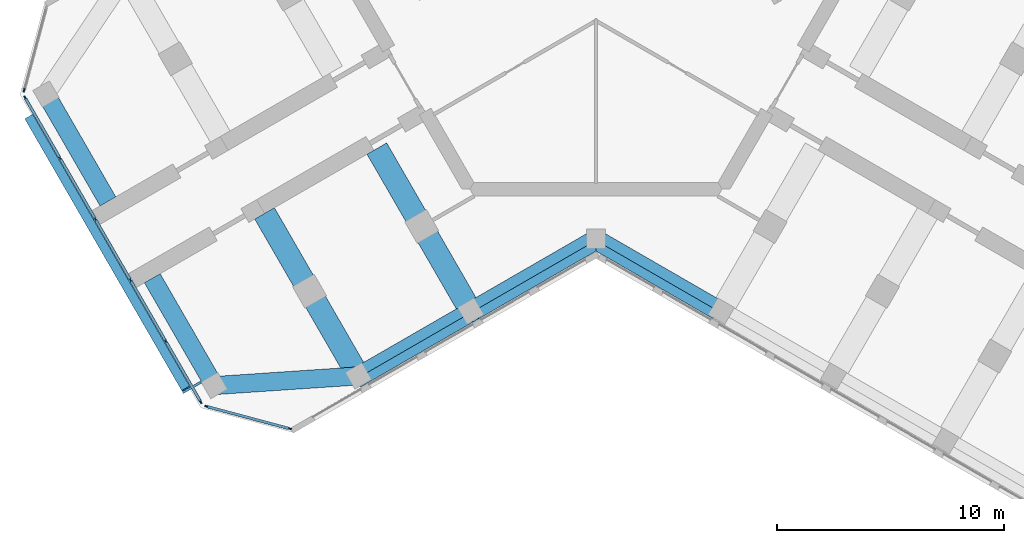
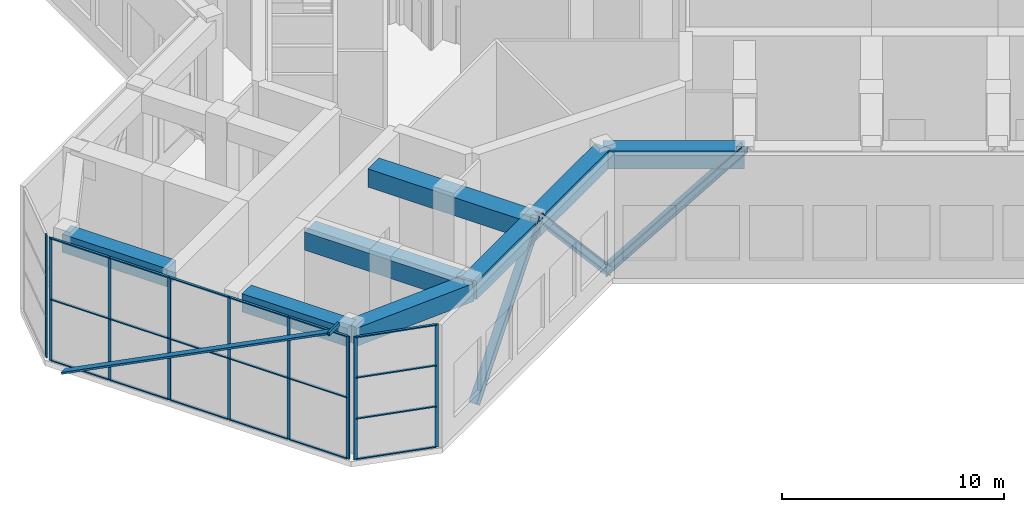
# One storey, part 2 of 12: 33 members, 8 beams, 3 elements without a shape of their own.
"""IFC4 building model written with IfcOpenShell, lengths in metres."""

from ifc_helpers import new_model, si_unit, direction, frame, origin, origin_2d, place, context, subcontext, project, spatial, rectangle, hollow_rectangle, i_section, extrude, material, material_profile, profile_set, type_object, element, aggregate, save


model = new_model("IFC4")

# Units and contexts
model_context = context("Model", 3, precision=1e-05, world=origin(), true_north=direction((0.0, 1.0)))
body_context = subcontext(model_context, "Body", "Model", "MODEL_VIEW")
ifc_project = project(units=[si_unit("LENGTHUNIT", "METRE"), si_unit("AREAUNIT", "SQUARE_METRE"), si_unit("VOLUMEUNIT", "CUBIC_METRE"), si_unit("PLANEANGLEUNIT", "RADIAN"), si_unit("MASSUNIT", "GRAM", prefix="KILO")], contexts=[model_context])

# Site, building, storey
site_placement = place(None, origin())
site = spatial("IfcSite", under=ifc_project, at=site_placement, CompositionType="ELEMENT")
building_placement = place(site_placement, origin())
building = spatial("IfcBuilding", under=site, at=building_placement, Name="Kosmar Iwan School Tower", CompositionType="ELEMENT")
storey_placement = place(building_placement, frame((0.0, 0.0, 260.39990234375)))
storey = spatial("IfcBuildingStorey", under=building, at=storey_placement, Name="L66", CompositionType="ELEMENT", Elevation=260.39990234375)

# Members
ifc_material_1 = material(Name="Steel S355", Category="steel")
ifc_material_profile_1 = material_profile(ifc_material_1, i_section(OverallWidth=0.404052734375, OverallDepth=0.406982421875, WebThickness=0.027099609375, FlangeThickness=0.043701171875, FilletRadius=0.014892578125, at=origin_2d()), Name="HD 400x347")
ifc_profile_set_1 = profile_set([ifc_material_profile_1], Name="Steel S355")
member_type_1 = type_object("IfcMemberType", Name="Belt truss diagonal HD 400x347", PredefinedType="BRACE", material=ifc_profile_set_1)
member_1_placement = place(storey_placement, frame((0.134033203125, -12.010009765625, 0.0), z_axis=(-0.589452136228, -0.340337813809, 0.732609276209), x_axis=(0.500019243575, -0.866014293216, 0.0)))
element("IfcMember", 1, at=member_1_placement, inside=storey, type_object=member_type_1, Name="Belt truss diagonal BL1", PredefinedType="BRACE", context=body_context, shape_type="SweptSolid", body=[
    extrude(i_section(OverallWidth=0.404052734375, OverallDepth=0.406982421875, WebThickness=0.027099609375, FlangeThickness=0.043701171875, FilletRadius=0.014892578125, at=origin_2d()), origin(), (0.0, 0.0, 1.0), 9.345703125),
])
member_2_placement = place(storey_placement, frame((-5.374755859375, -15.190673828125, 6.8466796875), z_axis=(-0.554094365009, -0.319894333189, -0.768535653213), x_axis=(0.49998570155, -0.866033658841, 0.0)))
element("IfcMember", 2, at=member_2_placement, inside=storey, type_object=member_type_1, Name="Belt truss diagonal BL2", PredefinedType="BRACE", context=body_context, shape_type="SweptSolid", body=[
    extrude(i_section(OverallWidth=0.404052734375, OverallDepth=0.406982421875, WebThickness=0.027099609375, FlangeThickness=0.043701171875, FilletRadius=0.014892578125, at=origin_2d()), origin(), (0.0, 0.0, 1.0), 8.90869140625),
])
member_3_placement = place(storey_placement, frame((-0.134033203125, -12.010009765625, 0.0), z_axis=(0.589452136228, -0.340337813809, 0.732609276209), x_axis=(0.500019243575, 0.866014293216, 0.0)))
element("IfcMember", 3, at=member_3_placement, inside=storey, type_object=member_type_1, Name="Belt truss diagonal CR1", PredefinedType="BRACE", context=body_context, shape_type="SweptSolid", body=[
    extrude(i_section(OverallWidth=0.404052734375, OverallDepth=0.406982421875, WebThickness=0.027099609375, FlangeThickness=0.043701171875, FilletRadius=0.014892578125, at=origin_2d()), origin(), (0.0, 0.0, 1.0), 9.345703125),
])

# Beams
ifc_material_2 = material(Name="Concrete C50/60", Category="concrete")
ifc_material_profile_2 = material_profile(ifc_material_2, rectangle(XDim=0.800048828125, YDim=1.0, at=origin_2d()), Name="RC 800x1000 + HD 400x634")
ifc_profile_set_2 = profile_set([ifc_material_profile_2], Name="Concrete C50/60")
beam_type_1 = type_object("IfcBeamType", Name="Composite edge beam 800x1000 HD 400x634", PredefinedType="BEAM", material=ifc_profile_set_2)
beam_1_placement = place(storey_placement, frame((0.0, -11.77783203125, 6.25), z_axis=(-0.866014293216, -0.500019243575, 0.0), x_axis=(0.500019243575, -0.866014293216, 0.0)))
element("IfcBeam", 4, at=beam_1_placement, inside=storey, type_object=beam_type_1, Name="Edge beam BL1", PredefinedType="BEAM", context=body_context, shape_type="SweptSolid", body=[
    extrude(rectangle(XDim=0.800048828125, YDim=1.0, at=origin_2d()), origin(), (0.0, 0.0, 1.0), 6.361083984375),
])
beam_2_placement = place(storey_placement, frame((-5.5087890625, -14.95849609375, 6.25), z_axis=(-0.866033658841, -0.49998570155, 0.0), x_axis=(0.49998570155, -0.866033658841, 0.0)))
element("IfcBeam", 5, at=beam_2_placement, inside=storey, type_object=beam_type_1, Name="Edge beam BL2", PredefinedType="BEAM", context=body_context, shape_type="SweptSolid", body=[
    extrude(rectangle(XDim=0.800048828125, YDim=1.0, at=origin_2d()), origin(), (0.0, 0.0, 1.0), 5.699951171875),
])
beam_3_placement = place(storey_placement, frame((0.0, -11.77783203125, 6.25), z_axis=(0.866014293216, -0.500019243575, 0.0), x_axis=(0.500019243575, 0.866014293216, 0.0)))
element("IfcBeam", 6, at=beam_3_placement, inside=storey, type_object=beam_type_1, Name="Edge beam CR1", PredefinedType="BEAM", context=body_context, shape_type="SweptSolid", body=[
    extrude(rectangle(XDim=0.800048828125, YDim=1.0, at=origin_2d()), origin(), (0.0, 0.0, 1.0), 6.361083984375),
])
ifc_material_3 = material(Name="Concrete C50/60", Category="concrete")
ifc_material_profile_3 = material_profile(ifc_material_3, rectangle(XDim=1.0, YDim=1.0, at=origin_2d()), Name="RC 1000x1000 + HD 400x347")
ifc_profile_set_3 = profile_set([ifc_material_profile_3], Name="Concrete C50/60")
beam_type_2 = type_object("IfcBeamType", Name="Composite transverse beam 1000x1000 HD 400x347", PredefinedType="BEAM", material=ifc_profile_set_3)
beam_4_placement = place(storey_placement, frame((-5.5087890625, -14.95849609375, 6.25), z_axis=(-0.499996545922, 0.866027397988, 0.0), x_axis=(-0.866027397988, -0.499996545922, 0.0)))
element("IfcBeam", 7, at=beam_4_placement, inside=storey, type_object=beam_type_2, Name="Transverse beam BL1", PredefinedType="BEAM", context=body_context, shape_type="SweptSolid", body=[
    extrude(rectangle(XDim=1.0, YDim=1.0, at=origin_2d()), origin(), (0.0, 0.0, 1.0), 8.25),
])
beam_5_placement = place(storey_placement, frame((-10.445068359375, -17.808349609375, 6.25), z_axis=(-0.500009360108, 0.866019999656, 0.0), x_axis=(-0.866019999656, -0.500009360108, 0.0)))
element("IfcBeam", 8, at=beam_5_placement, inside=storey, type_object=beam_type_2, Name="Transverse beam BL2", PredefinedType="BEAM", context=body_context, shape_type="SweptSolid", body=[
    extrude(rectangle(XDim=1.0, YDim=1.0, at=origin_2d()), origin(), (0.0, 0.0, 1.0), 8.249755859375),
])

# Members
ifc_material_4 = material(Name="Black anodised aluminium", Category="aluminium")
ifc_material_profile_4 = material_profile(ifc_material_4, rectangle(XDim=0.10009765625, YDim=0.39990234375, at=origin_2d()), Name="FIN 100x400")
ifc_profile_set_4 = profile_set([ifc_material_profile_4], Name="Black anodised aluminium")
member_type_2 = type_object("IfcMemberType", Name="Diagonal fin 100x400", PredefinedType="USERDEFINED", material=ifc_profile_set_4)
member_4_placement = place(storey_placement, frame((-24.926513671875, -6.426025390625, -0.14990234375), z_axis=(0.445890239963, -0.772303042066, 0.4524708887), x_axis=(-0.226235775694, 0.391851092786, 0.891779173831)))
element("IfcMember", 9, at=member_4_placement, inside=storey, type_object=member_type_2, Name="Diagonal fin L66-F11", ObjectType="FIN", PredefinedType="USERDEFINED", context=body_context, shape_type="SweptSolid", body=[
    extrude(rectangle(XDim=0.10009765625, YDim=0.39990234375, at=origin_2d()), origin(), (0.0, 0.0, 1.0), 15.470703125),
])
ifc_material_5 = material(Name="Steel S355", Category="steel")
ifc_material_profile_5 = material_profile(ifc_material_5, hollow_rectangle(XDim=0.10009765625, YDim=0.199951171875, WallThickness=0.008056640625, at=origin_2d()), Name="RHS 200x100x8")
ifc_profile_set_5 = profile_set([ifc_material_profile_5], Name="Steel S355")
member_type_3 = type_object("IfcMemberType", Name="Fin bracket RHS 200x100", PredefinedType="USERDEFINED", material=ifc_profile_set_5)
member_5_placement = place(storey_placement, frame((-17.362060546875, -18.078125, 6.875), z_axis=(-0.866058118026, -0.49994333299, 0.0), x_axis=(0.49994333299, -0.866058118026, 0.0)))
element("IfcMember", 10, at=member_5_placement, inside=storey, type_object=member_type_3, Name="Fin bracket L67", ObjectType="FIN BRACKET", PredefinedType="USERDEFINED", context=body_context, shape_type="SweptSolid", body=[
    extrude(hollow_rectangle(XDim=0.10009765625, YDim=0.199951171875, WallThickness=0.008056640625, at=origin_2d()), origin(), (0.0, 0.0, 1.0), 0.9248046875),
])

# Curtain wall, member
ifc_material_6 = material(Name="Dark glass in black aluminium frame", Category="aluminium")
curtain_wall_type_1 = type_object("IfcCurtainWallType", Name="Chamfer curtain wall dark glass", PredefinedType="USERDEFINED", material=ifc_material_6)
curtain_wall_1_placement = place(storey_placement, origin())
curtain_wall_1 = element("IfcCurtainWall", 11, at=curtain_wall_1_placement, inside=storey, type_object=curtain_wall_type_1, Name="Curtain wall L66-F10", ObjectType="FACETED CURTAIN WALL", PredefinedType="USERDEFINED")
ifc_material_7 = material(Name="Black anodised aluminium", Category="aluminium")
ifc_material_profile_6 = material_profile(ifc_material_7, rectangle(XDim=0.06005859375, YDim=0.159912109375, at=origin_2d()), Name="MULLION 60x160")
ifc_profile_set_6 = profile_set([ifc_material_profile_6], Name="Black anodised aluminium")
member_type_4 = type_object("IfcMemberType", Name="Mullion 60x160", PredefinedType="MULLION", material=ifc_profile_set_6)
member_6_placement = place(storey_placement, frame((-25.141845703125, -5.24853515625, 0.0), z_axis=(0.0, 0.0, 1.0), x_axis=(0.965925875495, -0.258818861462, 0.0)))
member_6 = element("IfcMember", 12, at=member_6_placement, type_object=member_type_4, Name="CW2 mullion 2", PredefinedType="MULLION", context=body_context, shape_type="SweptSolid", body=[
    extrude(rectangle(XDim=0.06005859375, YDim=0.159912109375, at=origin_2d()), origin(), (0.0, 0.0, 1.0), 6.75),
])
aggregate(curtain_wall_1, [member_6])

# Curtain wall, members
ifc_material_8 = material(Name="Black aluminium louvres and glass", Category="aluminium")
curtain_wall_type_2 = type_object("IfcCurtainWallType", Name="Plant floor louvred curtain wall", PredefinedType="USERDEFINED", material=ifc_material_8)
curtain_wall_2_placement = place(storey_placement, origin())
curtain_wall_2 = element("IfcCurtainWall", 13, at=curtain_wall_2_placement, inside=storey, type_object=curtain_wall_type_2, Name="Curtain wall L66-F11", ObjectType="LOUVRED CURTAIN WALL", PredefinedType="USERDEFINED")
member_7_placement = place(storey_placement, frame((-25.098388671875, -5.578369140625, 0.0), z_axis=(0.0, 0.0, 1.0), x_axis=(0.866025405329, 0.499999997325, 0.0)))
member_7 = element("IfcMember", 14, at=member_7_placement, type_object=member_type_4, Name="CW4 mullion 1", PredefinedType="MULLION", context=body_context, shape_type="SweptSolid", body=[
    extrude(rectangle(XDim=0.06005859375, YDim=0.159912109375, at=origin_2d()), origin(), (0.0, 0.0, 1.0), 6.75),
])
member_8_placement = place(storey_placement, frame((-23.563720703125, -8.236328125, 0.0), z_axis=(0.0, 0.0, 1.0), x_axis=(0.866025405329, 0.499999997325, 0.0)))
member_8 = element("IfcMember", 15, at=member_8_placement, type_object=member_type_4, Name="CW4 mullion 2", PredefinedType="MULLION", context=body_context, shape_type="SweptSolid", body=[
    extrude(rectangle(XDim=0.06005859375, YDim=0.159912109375, at=origin_2d()), origin(), (0.0, 0.0, 1.0), 6.75),
])
member_9_placement = place(storey_placement, frame((-22.01416015625, -10.92041015625, 0.0), z_axis=(0.0, 0.0, 1.0), x_axis=(0.866025405329, 0.499999997325, 0.0)))
member_9 = element("IfcMember", 16, at=member_9_placement, type_object=member_type_4, Name="CW4 mullion 3", PredefinedType="MULLION", context=body_context, shape_type="SweptSolid", body=[
    extrude(rectangle(XDim=0.06005859375, YDim=0.159912109375, at=origin_2d()), origin(), (0.0, 0.0, 1.0), 6.75),
])
member_10_placement = place(storey_placement, frame((-20.46435546875, -13.6044921875, 0.0), z_axis=(0.0, 0.0, 1.0), x_axis=(0.866025405329, 0.499999997325, 0.0)))
member_10 = element("IfcMember", 17, at=member_10_placement, type_object=member_type_4, Name="CW4 mullion 4", PredefinedType="MULLION", context=body_context, shape_type="SweptSolid", body=[
    extrude(rectangle(XDim=0.06005859375, YDim=0.159912109375, at=origin_2d()), origin(), (0.0, 0.0, 1.0), 6.75),
])
member_11_placement = place(storey_placement, frame((-18.914794921875, -16.28857421875, 0.0), z_axis=(0.0, 0.0, 1.0), x_axis=(0.866025405329, 0.499999997325, 0.0)))
member_11 = element("IfcMember", 18, at=member_11_placement, type_object=member_type_4, Name="CW4 mullion 5", PredefinedType="MULLION", context=body_context, shape_type="SweptSolid", body=[
    extrude(rectangle(XDim=0.06005859375, YDim=0.159912109375, at=origin_2d()), origin(), (0.0, 0.0, 1.0), 6.75),
])
member_12_placement = place(storey_placement, frame((-17.380126953125, -18.94677734375, 0.0), z_axis=(0.0, 0.0, 1.0), x_axis=(0.866025405329, 0.499999997325, 0.0)))
member_12 = element("IfcMember", 19, at=member_12_placement, type_object=member_type_4, Name="CW4 mullion 6", PredefinedType="MULLION", context=body_context, shape_type="SweptSolid", body=[
    extrude(rectangle(XDim=0.06005859375, YDim=0.159912109375, at=origin_2d()), origin(), (0.0, 0.0, 1.0), 6.75),
])

curtain_wall_3_placement = place(storey_placement, origin())
curtain_wall_3 = element("IfcCurtainWall", 20, at=curtain_wall_3_placement, inside=storey, type_object=curtain_wall_type_1, Name="Curtain wall L66-F12", ObjectType="FACETED CURTAIN WALL", PredefinedType="USERDEFINED")
member_13_placement = place(storey_placement, frame((-17.1162109375, -19.149169921875, 0.0), z_axis=(0.0, 0.0, 1.0), x_axis=(0.258818861462, 0.965925875495, 0.0)))
member_13 = element("IfcMember", 21, at=member_13_placement, type_object=member_type_4, Name="CW2 mullion 1", PredefinedType="MULLION", context=body_context, shape_type="SweptSolid", body=[
    extrude(rectangle(XDim=0.06005859375, YDim=0.159912109375, at=origin_2d()), origin(), (0.0, 0.0, 1.0), 6.75),
])
member_14_placement = place(storey_placement, frame((-13.466064453125, -20.127197265625, 0.0), z_axis=(0.0, 0.0, 1.0), x_axis=(0.258818861462, 0.965925875495, 0.0)))
member_14 = element("IfcMember", 22, at=member_14_placement, type_object=member_type_4, Name="CW2 mullion 2", PredefinedType="MULLION", context=body_context, shape_type="SweptSolid", body=[
    extrude(rectangle(XDim=0.06005859375, YDim=0.159912109375, at=origin_2d()), origin(), (0.0, 0.0, 1.0), 6.75),
])

# Beams
ifc_material_9 = material(Name="Concrete C50/60", Category="concrete")
ifc_material_profile_7 = material_profile(ifc_material_9, rectangle(XDim=0.800048828125, YDim=1.0, at=origin_2d()), Name="RC 800x1000")
ifc_profile_set_7 = profile_set([ifc_material_profile_7], Name="Concrete C50/60")
beam_type_3 = type_object("IfcBeamType", Name="RC tip beam 800x1000", PredefinedType="BEAM", material=ifc_profile_set_7)
beam_6_placement = place(storey_placement, frame((-10.445068359375, -17.808349609375, 6.25), z_axis=(-0.997755118724, -0.066968074933, 0.0), x_axis=(0.066968074933, -0.997755118724, 0.0)))
element("IfcBeam", 23, at=beam_6_placement, inside=storey, type_object=beam_type_3, Name="Tip beam BL", PredefinedType="BEAM", context=body_context, shape_type="SweptSolid", body=[
    extrude(rectangle(XDim=0.800048828125, YDim=1.0, at=origin_2d()), origin(), (0.0, 0.0, 1.0), 6.3505859375),
])
beam_7_placement = place(storey_placement, frame((-16.781494140625, -18.233642578125, 6.25), z_axis=(-0.500002931134, 0.866023711487, 0.0), x_axis=(-0.866023711487, -0.500002931134, 0.0)))
element("IfcBeam", 24, at=beam_7_placement, inside=storey, type_object=beam_type_3, Name="Tip beam BL to corridor wall", PredefinedType="BEAM", context=body_context, shape_type="SweptSolid", body=[
    extrude(rectangle(XDim=0.800048828125, YDim=1.0, at=origin_2d()), origin(), (0.0, 0.0, 1.0), 5.4501953125),
])
beam_8_placement = place(storey_placement, frame((-24.181396484375, -5.41650390625, 6.25), z_axis=(0.499988730927, -0.866031909889, 0.0), x_axis=(0.866031909889, 0.499988730927, 0.0)))
element("IfcBeam", 25, at=beam_8_placement, inside=storey, type_object=beam_type_3, Name="Tip beam BR to corridor wall", PredefinedType="BEAM", context=body_context, shape_type="SweptSolid", body=[
    extrude(rectangle(XDim=0.800048828125, YDim=1.0, at=origin_2d()), origin(), (0.0, 0.0, 1.0), 5.449951171875),
])

# Member
ifc_material_10 = material(Name="Black anodised aluminium", Category="aluminium")
ifc_material_profile_8 = material_profile(ifc_material_10, rectangle(XDim=0.1201171875, YDim=0.06005859375, at=origin_2d()), Name="TRANSOM 60x120")
ifc_profile_set_8 = profile_set([ifc_material_profile_8], Name="Black anodised aluminium")
member_type_5 = type_object("IfcMemberType", Name="Transom 60x120", PredefinedType="USERDEFINED", material=ifc_profile_set_8)
member_15_placement = place(storey_placement, frame((-25.08349609375, -5.604248046875, 0.030029296875), z_axis=(0.499986971506, -0.866032925658, 0.0), x_axis=(0.866032925658, 0.499986971506, 0.0)))
member_15 = element("IfcMember", 26, at=member_15_placement, type_object=member_type_5, Name="CW4 transom 1.1", ObjectType="TRANSOM", PredefinedType="USERDEFINED", context=body_context, shape_type="SweptSolid", body=[
    extrude(rectangle(XDim=0.1201171875, YDim=0.06005859375, at=origin_2d()), origin(), (0.0, 0.0, 1.0), 3.00927734375),
])

member_16_placement = place(storey_placement, frame((-25.08349609375, -5.604248046875, 3.375), z_axis=(0.499986971506, -0.866032925658, 0.0), x_axis=(0.866032925658, 0.499986971506, 0.0)))
member_16 = element("IfcMember", 27, at=member_16_placement, type_object=member_type_5, Name="CW4 transom 1.2", ObjectType="TRANSOM", PredefinedType="USERDEFINED", context=body_context, shape_type="SweptSolid", body=[
    extrude(rectangle(XDim=0.1201171875, YDim=0.06005859375, at=origin_2d()), origin(), (0.0, 0.0, 1.0), 3.00927734375),
])

member_17_placement = place(storey_placement, frame((-25.08349609375, -5.604248046875, 6.72021484375), z_axis=(0.499986971506, -0.866032925658, 0.0), x_axis=(0.866032925658, 0.499986971506, 0.0)))
member_17 = element("IfcMember", 28, at=member_17_placement, type_object=member_type_5, Name="CW4 transom 1.3", ObjectType="TRANSOM", PredefinedType="USERDEFINED", context=body_context, shape_type="SweptSolid", body=[
    extrude(rectangle(XDim=0.1201171875, YDim=0.06005859375, at=origin_2d()), origin(), (0.0, 0.0, 1.0), 3.00927734375),
])

member_18_placement = place(storey_placement, frame((-23.548828125, -8.262451171875, 0.030029296875), z_axis=(0.500035348339, -0.866004994449, 0.0), x_axis=(0.866004994449, 0.500035348339, 0.0)))
member_18 = element("IfcMember", 29, at=member_18_placement, type_object=member_type_5, Name="CW4 transom 2.1", ObjectType="TRANSOM", PredefinedType="USERDEFINED", context=body_context, shape_type="SweptSolid", body=[
    extrude(rectangle(XDim=0.1201171875, YDim=0.06005859375, at=origin_2d()), origin(), (0.0, 0.0, 1.0), 3.039306640625),
])

member_19_placement = place(storey_placement, frame((-23.548828125, -8.262451171875, 3.375), z_axis=(0.500035348339, -0.866004994449, 0.0), x_axis=(0.866004994449, 0.500035348339, 0.0)))
member_19 = element("IfcMember", 30, at=member_19_placement, type_object=member_type_5, Name="CW4 transom 2.2", ObjectType="TRANSOM", PredefinedType="USERDEFINED", context=body_context, shape_type="SweptSolid", body=[
    extrude(rectangle(XDim=0.1201171875, YDim=0.06005859375, at=origin_2d()), origin(), (0.0, 0.0, 1.0), 3.039306640625),
])

member_20_placement = place(storey_placement, frame((-23.548828125, -8.262451171875, 6.72021484375), z_axis=(0.500035348339, -0.866004994449, 0.0), x_axis=(0.866004994449, 0.500035348339, 0.0)))
member_20 = element("IfcMember", 31, at=member_20_placement, type_object=member_type_5, Name="CW4 transom 2.3", ObjectType="TRANSOM", PredefinedType="USERDEFINED", context=body_context, shape_type="SweptSolid", body=[
    extrude(rectangle(XDim=0.1201171875, YDim=0.06005859375, at=origin_2d()), origin(), (0.0, 0.0, 1.0), 3.039306640625),
])

member_21_placement = place(storey_placement, frame((-21.9990234375, -10.946533203125, 0.030029296875), z_axis=(0.499975102327, -0.866039777986, 0.0), x_axis=(0.866039777986, 0.499975102327, 0.0)))
member_21 = element("IfcMember", 32, at=member_21_placement, type_object=member_type_5, Name="CW4 transom 3.1", ObjectType="TRANSOM", PredefinedType="USERDEFINED", context=body_context, shape_type="SweptSolid", body=[
    extrude(rectangle(XDim=0.1201171875, YDim=0.06005859375, at=origin_2d()), origin(), (0.0, 0.0, 1.0), 3.039306640625),
])

member_22_placement = place(storey_placement, frame((-21.9990234375, -10.946533203125, 3.375), z_axis=(0.499975102327, -0.866039777986, 0.0), x_axis=(0.866039777986, 0.499975102327, 0.0)))
member_22 = element("IfcMember", 33, at=member_22_placement, type_object=member_type_5, Name="CW4 transom 3.2", ObjectType="TRANSOM", PredefinedType="USERDEFINED", context=body_context, shape_type="SweptSolid", body=[
    extrude(rectangle(XDim=0.1201171875, YDim=0.06005859375, at=origin_2d()), origin(), (0.0, 0.0, 1.0), 3.039306640625),
])

member_23_placement = place(storey_placement, frame((-21.9990234375, -10.946533203125, 6.72021484375), z_axis=(0.499975102327, -0.866039777986, 0.0), x_axis=(0.866039777986, 0.499975102327, 0.0)))
member_23 = element("IfcMember", 34, at=member_23_placement, type_object=member_type_5, Name="CW4 transom 3.3", ObjectType="TRANSOM", PredefinedType="USERDEFINED", context=body_context, shape_type="SweptSolid", body=[
    extrude(rectangle(XDim=0.1201171875, YDim=0.06005859375, at=origin_2d()), origin(), (0.0, 0.0, 1.0), 3.039306640625),
])

member_24_placement = place(storey_placement, frame((-20.449462890625, -13.630615234375, 0.030029296875), z_axis=(0.500035348339, -0.866004994449, 0.0), x_axis=(0.866004994449, 0.500035348339, 0.0)))
member_24 = element("IfcMember", 35, at=member_24_placement, type_object=member_type_5, Name="CW4 transom 4.1", ObjectType="TRANSOM", PredefinedType="USERDEFINED", context=body_context, shape_type="SweptSolid", body=[
    extrude(rectangle(XDim=0.1201171875, YDim=0.06005859375, at=origin_2d()), origin(), (0.0, 0.0, 1.0), 3.039306640625),
])

member_25_placement = place(storey_placement, frame((-20.449462890625, -13.630615234375, 3.375), z_axis=(0.500035348339, -0.866004994449, 0.0), x_axis=(0.866004994449, 0.500035348339, 0.0)))
member_25 = element("IfcMember", 36, at=member_25_placement, type_object=member_type_5, Name="CW4 transom 4.2", ObjectType="TRANSOM", PredefinedType="USERDEFINED", context=body_context, shape_type="SweptSolid", body=[
    extrude(rectangle(XDim=0.1201171875, YDim=0.06005859375, at=origin_2d()), origin(), (0.0, 0.0, 1.0), 3.039306640625),
])

member_26_placement = place(storey_placement, frame((-20.449462890625, -13.630615234375, 6.72021484375), z_axis=(0.500035348339, -0.866004994449, 0.0), x_axis=(0.866004994449, 0.500035348339, 0.0)))
member_26 = element("IfcMember", 37, at=member_26_placement, type_object=member_type_5, Name="CW4 transom 4.3", ObjectType="TRANSOM", PredefinedType="USERDEFINED", context=body_context, shape_type="SweptSolid", body=[
    extrude(rectangle(XDim=0.1201171875, YDim=0.06005859375, at=origin_2d()), origin(), (0.0, 0.0, 1.0), 3.039306640625),
])

member_27_placement = place(storey_placement, frame((-18.89990234375, -16.314697265625, 0.030029296875), z_axis=(0.500022102064, -0.866012642776, 0.0), x_axis=(0.866012642776, 0.500022102064, 0.0)))
member_27 = element("IfcMember", 38, at=member_27_placement, type_object=member_type_5, Name="CW4 transom 5.1", ObjectType="TRANSOM", PredefinedType="USERDEFINED", context=body_context, shape_type="SweptSolid", body=[
    extrude(rectangle(XDim=0.1201171875, YDim=0.06005859375, at=origin_2d()), origin(), (0.0, 0.0, 1.0), 3.009033203125),
])

member_28_placement = place(storey_placement, frame((-18.89990234375, -16.314697265625, 3.375), z_axis=(0.500022102064, -0.866012642776, 0.0), x_axis=(0.866012642776, 0.500022102064, 0.0)))
member_28 = element("IfcMember", 39, at=member_28_placement, type_object=member_type_5, Name="CW4 transom 5.2", ObjectType="TRANSOM", PredefinedType="USERDEFINED", context=body_context, shape_type="SweptSolid", body=[
    extrude(rectangle(XDim=0.1201171875, YDim=0.06005859375, at=origin_2d()), origin(), (0.0, 0.0, 1.0), 3.009033203125),
])

member_29_placement = place(storey_placement, frame((-18.89990234375, -16.314697265625, 6.72021484375), z_axis=(0.500022102064, -0.866012642776, 0.0), x_axis=(0.866012642776, 0.500022102064, 0.0)))
member_29 = element("IfcMember", 40, at=member_29_placement, type_object=member_type_5, Name="CW4 transom 5.3", ObjectType="TRANSOM", PredefinedType="USERDEFINED", context=body_context, shape_type="SweptSolid", body=[
    extrude(rectangle(XDim=0.1201171875, YDim=0.06005859375, at=origin_2d()), origin(), (0.0, 0.0, 1.0), 3.009033203125),
])

aggregate(curtain_wall_2, [member_7, member_8, member_9, member_10, member_11, member_12, member_15, member_16, member_17, member_18, member_19, member_20, member_21, member_22, member_23, member_24, member_25, member_26, member_27, member_28, member_29])

member_30_placement = place(storey_placement, frame((-17.08740234375, -19.156982421875, 0.030029296875), z_axis=(0.965940141052, -0.258765615768, 0.0), x_axis=(0.258765615768, 0.965940141052, 0.0)))
member_30 = element("IfcMember", 41, at=member_30_placement, type_object=member_type_5, Name="CW2 transom 1.1", ObjectType="TRANSOM", PredefinedType="USERDEFINED", context=body_context, shape_type="SweptSolid", body=[
    extrude(rectangle(XDim=0.1201171875, YDim=0.06005859375, at=origin_2d()), origin(), (0.0, 0.0, 1.0), 3.71923828125),
])

member_31_placement = place(storey_placement, frame((-17.08740234375, -19.156982421875, 2.25), z_axis=(0.965940141052, -0.258765615768, 0.0), x_axis=(0.258765615768, 0.965940141052, 0.0)))
member_31 = element("IfcMember", 42, at=member_31_placement, type_object=member_type_5, Name="CW2 transom 1.2", ObjectType="TRANSOM", PredefinedType="USERDEFINED", context=body_context, shape_type="SweptSolid", body=[
    extrude(rectangle(XDim=0.1201171875, YDim=0.06005859375, at=origin_2d()), origin(), (0.0, 0.0, 1.0), 3.71923828125),
])

member_32_placement = place(storey_placement, frame((-17.08740234375, -19.156982421875, 4.5), z_axis=(0.965940141052, -0.258765615768, 0.0), x_axis=(0.258765615768, 0.965940141052, 0.0)))
member_32 = element("IfcMember", 43, at=member_32_placement, type_object=member_type_5, Name="CW2 transom 1.3", ObjectType="TRANSOM", PredefinedType="USERDEFINED", context=body_context, shape_type="SweptSolid", body=[
    extrude(rectangle(XDim=0.1201171875, YDim=0.06005859375, at=origin_2d()), origin(), (0.0, 0.0, 1.0), 3.71923828125),
])

member_33_placement = place(storey_placement, frame((-17.08740234375, -19.156982421875, 6.72021484375), z_axis=(0.965940141052, -0.258765615768, 0.0), x_axis=(0.258765615768, 0.965940141052, 0.0)))
member_33 = element("IfcMember", 44, at=member_33_placement, type_object=member_type_5, Name="CW2 transom 1.4", ObjectType="TRANSOM", PredefinedType="USERDEFINED", context=body_context, shape_type="SweptSolid", body=[
    extrude(rectangle(XDim=0.1201171875, YDim=0.06005859375, at=origin_2d()), origin(), (0.0, 0.0, 1.0), 3.71923828125),
])

aggregate(curtain_wall_3, [member_13, member_14, member_30, member_31, member_32, member_33])

save(model, "model.ifc")
